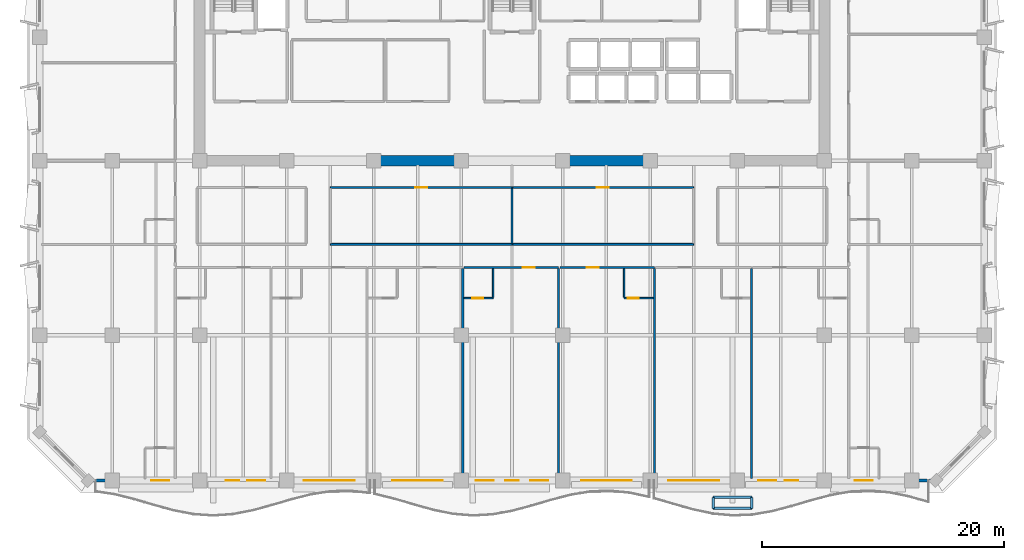
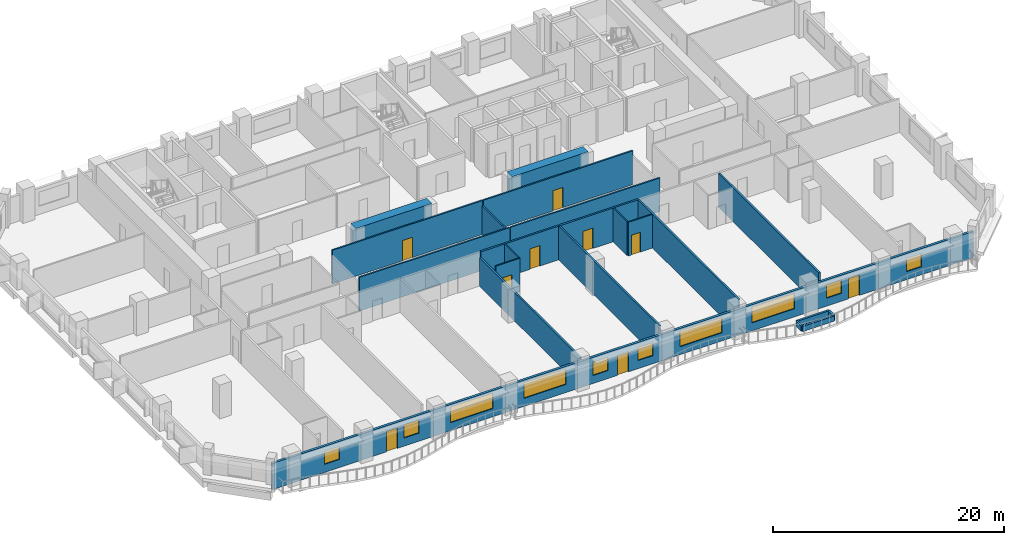
# One storey, part 5 of 15: 22 walls, 10 windows, 9 doors, 19 openings.
"""IFC4 building model written with IfcOpenShell, lengths in metres."""

from ifc_helpers import new_model, si_unit, direction, frame, frame_2d, origin, place, context, subcontext, project, spatial, rectangle, extrude, material, layer, layer_set, type_object, element, fill, save


model = new_model("IFC4")

# Units and contexts
model_context = context("Model", 3, precision=1e-05, world=origin(), true_north=direction((0.0, 1.0)))
body_context = subcontext(model_context, "Body", "Model", "MODEL_VIEW")
ifc_project = project(units=[si_unit("LENGTHUNIT", "METRE"), si_unit("AREAUNIT", "SQUARE_METRE"), si_unit("VOLUMEUNIT", "CUBIC_METRE"), si_unit("PLANEANGLEUNIT", "RADIAN"), si_unit("MASSUNIT", "GRAM", prefix="KILO")], contexts=[model_context])

# Site, building, storey
site_placement = place(None, origin())
site = spatial("IfcSite", under=ifc_project, at=site_placement, CompositionType="ELEMENT")
building_placement = place(site_placement, origin())
building = spatial("IfcBuilding", under=site, at=building_placement, Name="Kaelvorn Grand Hotel", CompositionType="ELEMENT")
storey_placement = place(building_placement, frame((0.0, 0.0, 173.35009765625)))
storey = spatial("IfcBuildingStorey", under=building, at=storey_placement, Name="L42", CompositionType="ELEMENT", Elevation=173.35009765625)

# Walls
ifc_material_1 = material(Name="Concrete C60/75", Category="concrete")
ifc_layer_1 = layer(ifc_material_1, 0.89990234375)
ifc_layer_set_1 = layer_set([ifc_layer_1], Name="Concrete C60/75")
wall_type_1 = type_object("IfcWallType", Name="WL-CORE-900-C60", PredefinedType="SHEAR", material=ifc_layer_set_1)
for number, where, z_axis, x_axis, name in (
    (1, (30.39990234375, 29.39990234375, 0.0), (0.0, 0.0, 1.0), (1.0, 0.0, 0.0), "L42 Rear-Core Coupled Shear Pier S2"),
    (2, (46.0, 29.39990234375, 0.0), (0.0, 0.0, 1.0), (1.0, 0.0, 0.0), "L42 Rear-Core Coupled Shear Pier S3"),
):
    element("IfcWall", number, at=place(storey_placement, frame(where, z_axis=z_axis, x_axis=x_axis)), inside=storey, type_object=wall_type_1, Name=name, PredefinedType="SHEAR", context=body_context, shape_type="SweptSolid", body=[
        extrude(rectangle(XDim=7.60009765625, YDim=0.89990234375, at=frame_2d((3.800048828125, 0.0))), origin(), (0.0, 0.0, 1.0), 3.559814453125),
    ])

# Wall, openings, doors, windows
ifc_material_2 = material(Name="Concrete C40/50", Category="concrete")
ifc_layer_2 = layer(ifc_material_2, 0.239990234375)
ifc_layer_set_2 = layer_set([ifc_layer_2], Name="Concrete C40/50")
wall_type_2 = type_object("IfcWallType", Name="WL-EXT-240-C40", PredefinedType="SOLIDWALL", material=ifc_layer_set_2)
wall_1_placement = place(storey_placement, frame((7.0, 3.0, 0.0), z_axis=(0.0, 0.0, 1.0), x_axis=(1.0, 0.0, 0.0)))
wall_1 = element("IfcWall", 3, at=wall_1_placement, inside=storey, type_object=wall_type_2, Name="L42 Exterior Architectural Concrete Wall 01", PredefinedType="SOLIDWALL", context=body_context, shape_type="SweptSolid", body=[
    extrude(rectangle(XDim=70.0, YDim=0.239990234375, at=frame_2d((35.0, 0.0))), origin(), (0.0, 0.0, 1.0), 2.760009765625),
])
opening_1_placement = place(wall_1_placement, frame((11.38330078125, 0.0, 0.0)))
opening_1 = element("IfcOpeningElement", 4, at=opening_1_placement, cuts=wall_1, Name="Opening DE2", PredefinedType="OPENING", context=body_context, shape_type="SweptSolid", body=[
    extrude(rectangle(XDim=1.10009765625, YDim=2.14990234375, at=frame_2d((0.550048828125, 1.074951171875))), frame((0.0, 0.1298828125, 0.0), z_axis=(0.0, -1.0, 0.0), x_axis=(1.0, 0.0, 0.0)), (0.0, 0.0, 1.0), 0.260009765625),
])
opening_2_placement = place(wall_1_placement, frame((34.449951171875, 0.0, 0.0)))
opening_2 = element("IfcOpeningElement", 5, at=opening_2_placement, cuts=wall_1, Name="Opening DE2", PredefinedType="OPENING", context=body_context, shape_type="SweptSolid", body=[
    extrude(rectangle(XDim=1.10009765625, YDim=2.14990234375, at=frame_2d((0.550048828125, 1.074951171875))), frame((0.0, 0.1298828125, 0.0), z_axis=(0.0, -1.0, 0.0), x_axis=(1.0, 0.0, 0.0)), (0.0, 0.0, 1.0), 0.260009765625),
])
opening_3_placement = place(wall_1_placement, frame((57.5166015625, 0.0, 0.0)))
opening_3 = element("IfcOpeningElement", 6, at=opening_3_placement, cuts=wall_1, Name="Opening DE2", PredefinedType="OPENING", context=body_context, shape_type="SweptSolid", body=[
    extrude(rectangle(XDim=1.10009765625, YDim=2.14990234375, at=frame_2d((0.550048828125, 1.074951171875))), frame((0.0, 0.1298828125, 0.0), z_axis=(0.0, -1.0, 0.0), x_axis=(1.0, 0.0, 0.0)), (0.0, 0.0, 1.0), 0.260009765625),
])
opening_4_placement = place(wall_1_placement, frame((5.199951171875, 0.0, 0.85009765625)))
opening_4 = element("IfcOpeningElement", 7, at=opening_4_placement, cuts=wall_1, Name="Opening W10", PredefinedType="OPENING", context=body_context, shape_type="SweptSolid", body=[
    extrude(rectangle(XDim=1.5, YDim=1.39990234375, at=frame_2d((0.75, 0.699951171875))), frame((0.0, 0.1298828125, 0.0), z_axis=(0.0, -1.0, 0.0), x_axis=(1.0, 0.0, 0.0)), (0.0, 0.0, 1.0), 0.260009765625),
])
opening_5_placement = place(wall_1_placement, frame((13.132568359375, 0.0, 0.85009765625)))
opening_5 = element("IfcOpeningElement", 8, at=opening_5_placement, cuts=wall_1, Name="Opening W10", PredefinedType="OPENING", context=body_context, shape_type="SweptSolid", body=[
    extrude(rectangle(XDim=1.5, YDim=1.39990234375, at=frame_2d((0.75, 0.699951171875))), frame((0.0, 0.1298828125, 0.0), z_axis=(0.0, -1.0, 0.0), x_axis=(1.0, 0.0, 0.0)), (0.0, 0.0, 1.0), 0.260009765625),
])
opening_6_placement = place(wall_1_placement, frame((17.8125, 0.0, 0.85009765625)))
opening_6 = element("IfcOpeningElement", 9, at=opening_6_placement, cuts=wall_1, Name="Opening W2", PredefinedType="OPENING", context=body_context, shape_type="SweptSolid", body=[
    extrude(rectangle(XDim=4.199951171875, YDim=1.64990234375, at=frame_2d((2.10009765625, 0.824951171875))), frame((0.0, 0.1298828125, 0.0), z_axis=(0.0, -1.0, 0.0), x_axis=(1.0, 0.0, 0.0)), (0.0, 0.0, 1.0), 0.260009765625),
])
opening_7_placement = place(wall_1_placement, frame((25.10009765625, 0.0, 0.85009765625)))
opening_7 = element("IfcOpeningElement", 10, at=opening_7_placement, cuts=wall_1, Name="Opening W2", PredefinedType="OPENING", context=body_context, shape_type="SweptSolid", body=[
    extrude(rectangle(XDim=4.199951171875, YDim=1.64990234375, at=frame_2d((2.10009765625, 0.824951171875))), frame((0.0, 0.1298828125, 0.0), z_axis=(0.0, -1.0, 0.0), x_axis=(1.0, 0.0, 0.0)), (0.0, 0.0, 1.0), 0.260009765625),
])
opening_8_placement = place(wall_1_placement, frame((31.989990234375, 0.0, 0.85009765625)))
opening_8 = element("IfcOpeningElement", 11, at=opening_8_placement, cuts=wall_1, Name="Opening W10", PredefinedType="OPENING", context=body_context, shape_type="SweptSolid", body=[
    extrude(rectangle(XDim=1.5, YDim=1.39990234375, at=frame_2d((0.75, 0.699951171875))), frame((0.0, 0.1298828125, 0.0), z_axis=(0.0, -1.0, 0.0), x_axis=(1.0, 0.0, 0.0)), (0.0, 0.0, 1.0), 0.260009765625),
])
opening_9_placement = place(wall_1_placement, frame((36.510009765625, 0.0, 0.85009765625)))
opening_9 = element("IfcOpeningElement", 12, at=opening_9_placement, cuts=wall_1, Name="Opening W10", PredefinedType="OPENING", context=body_context, shape_type="SweptSolid", body=[
    extrude(rectangle(XDim=1.5, YDim=1.39990234375, at=frame_2d((0.75, 0.699951171875))), frame((0.0, 0.1298828125, 0.0), z_axis=(0.0, -1.0, 0.0), x_axis=(1.0, 0.0, 0.0)), (0.0, 0.0, 1.0), 0.260009765625),
])
opening_10_placement = place(wall_1_placement, frame((40.699951171875, 0.0, 0.85009765625)))
opening_10 = element("IfcOpeningElement", 13, at=opening_10_placement, cuts=wall_1, Name="Opening W2", PredefinedType="OPENING", context=body_context, shape_type="SweptSolid", body=[
    extrude(rectangle(XDim=4.199951171875, YDim=1.64990234375, at=frame_2d((2.10009765625, 0.824951171875))), frame((0.0, 0.1298828125, 0.0), z_axis=(0.0, -1.0, 0.0), x_axis=(1.0, 0.0, 0.0)), (0.0, 0.0, 1.0), 0.260009765625),
])
opening_11_placement = place(wall_1_placement, frame((47.89990234375, 0.0, 0.85009765625)))
opening_11 = element("IfcOpeningElement", 14, at=opening_11_placement, cuts=wall_1, Name="Opening W2", PredefinedType="OPENING", context=body_context, shape_type="SweptSolid", body=[
    extrude(rectangle(XDim=4.199951171875, YDim=1.64990234375, at=frame_2d((2.10009765625, 0.824951171875))), frame((0.0, 0.1298828125, 0.0), z_axis=(0.0, -1.0, 0.0), x_axis=(1.0, 0.0, 0.0)), (0.0, 0.0, 1.0), 0.260009765625),
])
opening_12_placement = place(wall_1_placement, frame((55.31396484375, 0.0, 0.85009765625)))
opening_12 = element("IfcOpeningElement", 15, at=opening_12_placement, cuts=wall_1, Name="Opening W10", PredefinedType="OPENING", context=body_context, shape_type="SweptSolid", body=[
    extrude(rectangle(XDim=1.5, YDim=1.39990234375, at=frame_2d((0.75, 0.699951171875))), frame((0.0, 0.1298828125, 0.0), z_axis=(0.0, -1.0, 0.0), x_axis=(1.0, 0.0, 0.0)), (0.0, 0.0, 1.0), 0.260009765625),
])
opening_13_placement = place(wall_1_placement, frame((63.300048828125, 0.0, 0.85009765625)))
opening_13 = element("IfcOpeningElement", 16, at=opening_13_placement, cuts=wall_1, Name="Opening W10", PredefinedType="OPENING", context=body_context, shape_type="SweptSolid", body=[
    extrude(rectangle(XDim=1.5, YDim=1.39990234375, at=frame_2d((0.75, 0.699951171875))), frame((0.0, 0.1298828125, 0.0), z_axis=(0.0, -1.0, 0.0), x_axis=(1.0, 0.0, 0.0)), (0.0, 0.0, 1.0), 0.260009765625),
])
ifc_material_3 = material(Name="Anodised Aluminium", Category="aluminium")
door_type_1 = type_object("IfcDoorType", Name="DR-EXT-BALC-1100x2150", OperationType="NOTDEFINED", PredefinedType="DOOR", material=ifc_material_3)
door_1_placement = place(opening_1_placement, origin())
door_1 = element("IfcDoor", 17, at=door_1_placement, inside=storey, type_object=door_type_1, Name="L42 Scalloped Balcony Glazed Door DE2-1", OperationType="SINGLE_SWING_RIGHT", OverallHeight=2.14990234375, OverallWidth=1.10009765625, PredefinedType="DOOR", context=body_context, shape_type="SweptSolid", body=[
    extrude(rectangle(XDim=1.10009765625, YDim=2.14990234375, at=frame_2d((0.550048828125, 1.074951171875))), frame((0.0, 0.02490234375, 0.0), z_axis=(0.0, -1.0, 0.0), x_axis=(1.0, 0.0, 0.0)), (0.0, 0.0, 1.0), 0.050048828125),
])
fill(opening_1, door_1)
door_2_placement = place(opening_2_placement, origin())
door_2 = element("IfcDoor", 18, at=door_2_placement, inside=storey, type_object=door_type_1, Name="L42 Scalloped Balcony Glazed Door DE2-2", OperationType="SINGLE_SWING_LEFT", OverallHeight=2.14990234375, OverallWidth=1.10009765625, PredefinedType="DOOR", context=body_context, shape_type="SweptSolid", body=[
    extrude(rectangle(XDim=1.10009765625, YDim=2.14990234375, at=frame_2d((0.550048828125, 1.074951171875))), frame((0.0, 0.02490234375, 0.0), z_axis=(0.0, -1.0, 0.0), x_axis=(1.0, 0.0, 0.0)), (0.0, 0.0, 1.0), 0.050048828125),
])
fill(opening_2, door_2)
door_3_placement = place(opening_3_placement, origin())
door_3 = element("IfcDoor", 19, at=door_3_placement, inside=storey, type_object=door_type_1, Name="L42 Scalloped Balcony Glazed Door DE2-3", OperationType="SINGLE_SWING_RIGHT", OverallHeight=2.14990234375, OverallWidth=1.10009765625, PredefinedType="DOOR", context=body_context, shape_type="SweptSolid", body=[
    extrude(rectangle(XDim=1.10009765625, YDim=2.14990234375, at=frame_2d((0.550048828125, 1.074951171875))), frame((0.0, 0.02490234375, 0.0), z_axis=(0.0, -1.0, 0.0), x_axis=(1.0, 0.0, 0.0)), (0.0, 0.0, 1.0), 0.050048828125),
])
fill(opening_3, door_3)
ifc_material_4 = material(Name="Laminated Low-E Glass", Category="glass")
window_type_1 = type_object("IfcWindowType", Name="WIN-COR-1500x1400", PartitioningType="SINGLE_PANEL", PredefinedType="WINDOW", material=ifc_material_4)
window_1_placement = place(opening_4_placement, origin())
window_1 = element("IfcWindow", 20, at=window_1_placement, inside=storey, type_object=window_type_1, Name="L42 South Guestroom Ribbon Window SR01", OverallHeight=1.39990234375, OverallWidth=1.5, PartitioningType="SINGLE_PANEL", PredefinedType="WINDOW", context=body_context, shape_type="SweptSolid", body=[
    extrude(rectangle(XDim=1.5, YDim=1.39990234375, at=frame_2d((0.75, 0.699951171875))), frame((0.0, 0.030029296875, 0.0), z_axis=(0.0, -1.0, 0.0), x_axis=(1.0, 0.0, 0.0)), (0.0, 0.0, 1.0), 0.06005859375),
])
fill(opening_4, window_1)
window_2_placement = place(opening_5_placement, origin())
window_2 = element("IfcWindow", 21, at=window_2_placement, inside=storey, type_object=window_type_1, Name="L42 South Guestroom Ribbon Window SR02", OverallHeight=1.39990234375, OverallWidth=1.5, PartitioningType="SINGLE_PANEL", PredefinedType="WINDOW", context=body_context, shape_type="SweptSolid", body=[
    extrude(rectangle(XDim=1.5, YDim=1.39990234375, at=frame_2d((0.75, 0.699951171875))), frame((0.0, 0.030029296875, 0.0), z_axis=(0.0, -1.0, 0.0), x_axis=(1.0, 0.0, 0.0)), (0.0, 0.0, 1.0), 0.06005859375),
])
fill(opening_5, window_2)
window_3_placement = place(opening_8_placement, origin())
window_3 = element("IfcWindow", 22, at=window_3_placement, inside=storey, type_object=window_type_1, Name="L42 South Guestroom Ribbon Window SR05", OverallHeight=1.39990234375, OverallWidth=1.5, PartitioningType="SINGLE_PANEL", PredefinedType="WINDOW", context=body_context, shape_type="SweptSolid", body=[
    extrude(rectangle(XDim=1.5, YDim=1.39990234375, at=frame_2d((0.75, 0.699951171875))), frame((0.0, 0.030029296875, 0.0), z_axis=(0.0, -1.0, 0.0), x_axis=(1.0, 0.0, 0.0)), (0.0, 0.0, 1.0), 0.06005859375),
])
fill(opening_8, window_3)
window_4_placement = place(opening_9_placement, origin())
window_4 = element("IfcWindow", 23, at=window_4_placement, inside=storey, type_object=window_type_1, Name="L42 South Guestroom Ribbon Window SR06", OverallHeight=1.39990234375, OverallWidth=1.5, PartitioningType="SINGLE_PANEL", PredefinedType="WINDOW", context=body_context, shape_type="SweptSolid", body=[
    extrude(rectangle(XDim=1.5, YDim=1.39990234375, at=frame_2d((0.75, 0.699951171875))), frame((0.0, 0.030029296875, 0.0), z_axis=(0.0, -1.0, 0.0), x_axis=(1.0, 0.0, 0.0)), (0.0, 0.0, 1.0), 0.06005859375),
])
fill(opening_9, window_4)
window_5_placement = place(opening_12_placement, origin())
window_5 = element("IfcWindow", 24, at=window_5_placement, inside=storey, type_object=window_type_1, Name="L42 South Guestroom Ribbon Window SR09", OverallHeight=1.39990234375, OverallWidth=1.5, PartitioningType="SINGLE_PANEL", PredefinedType="WINDOW", context=body_context, shape_type="SweptSolid", body=[
    extrude(rectangle(XDim=1.5, YDim=1.39990234375, at=frame_2d((0.75, 0.699951171875))), frame((0.0, 0.030029296875, 0.0), z_axis=(0.0, -1.0, 0.0), x_axis=(1.0, 0.0, 0.0)), (0.0, 0.0, 1.0), 0.06005859375),
])
fill(opening_12, window_5)
window_6_placement = place(opening_13_placement, origin())
window_6 = element("IfcWindow", 25, at=window_6_placement, inside=storey, type_object=window_type_1, Name="L42 South Guestroom Ribbon Window SR10", OverallHeight=1.39990234375, OverallWidth=1.5, PartitioningType="SINGLE_PANEL", PredefinedType="WINDOW", context=body_context, shape_type="SweptSolid", body=[
    extrude(rectangle(XDim=1.5, YDim=1.39990234375, at=frame_2d((0.75, 0.699951171875))), frame((0.0, 0.030029296875, 0.0), z_axis=(0.0, -1.0, 0.0), x_axis=(1.0, 0.0, 0.0)), (0.0, 0.0, 1.0), 0.06005859375),
])
fill(opening_13, window_6)
window_type_2 = type_object("IfcWindowType", Name="WIN-RIB-4200x1650", PartitioningType="SINGLE_PANEL", PredefinedType="WINDOW", material=ifc_material_4)
window_7_placement = place(opening_6_placement, origin())
window_7 = element("IfcWindow", 26, at=window_7_placement, inside=storey, type_object=window_type_2, Name="L42 South Guestroom Ribbon Window SR03", OverallHeight=1.64990234375, OverallWidth=4.199951171875, PartitioningType="SINGLE_PANEL", PredefinedType="WINDOW", context=body_context, shape_type="SweptSolid", body=[
    extrude(rectangle(XDim=4.199951171875, YDim=1.64990234375, at=frame_2d((2.10009765625, 0.824951171875))), frame((0.0, 0.030029296875, 0.0), z_axis=(0.0, -1.0, 0.0), x_axis=(1.0, 0.0, 0.0)), (0.0, 0.0, 1.0), 0.06005859375),
])
fill(opening_6, window_7)
window_8_placement = place(opening_7_placement, origin())
window_8 = element("IfcWindow", 27, at=window_8_placement, inside=storey, type_object=window_type_2, Name="L42 South Guestroom Ribbon Window SR04", OverallHeight=1.64990234375, OverallWidth=4.199951171875, PartitioningType="SINGLE_PANEL", PredefinedType="WINDOW", context=body_context, shape_type="SweptSolid", body=[
    extrude(rectangle(XDim=4.199951171875, YDim=1.64990234375, at=frame_2d((2.10009765625, 0.824951171875))), frame((0.0, 0.030029296875, 0.0), z_axis=(0.0, -1.0, 0.0), x_axis=(1.0, 0.0, 0.0)), (0.0, 0.0, 1.0), 0.06005859375),
])
fill(opening_7, window_8)
window_9_placement = place(opening_10_placement, origin())
window_9 = element("IfcWindow", 28, at=window_9_placement, inside=storey, type_object=window_type_2, Name="L42 South Guestroom Ribbon Window SR07", OverallHeight=1.64990234375, OverallWidth=4.199951171875, PartitioningType="SINGLE_PANEL", PredefinedType="WINDOW", context=body_context, shape_type="SweptSolid", body=[
    extrude(rectangle(XDim=4.199951171875, YDim=1.64990234375, at=frame_2d((2.10009765625, 0.824951171875))), frame((0.0, 0.030029296875, 0.0), z_axis=(0.0, -1.0, 0.0), x_axis=(1.0, 0.0, 0.0)), (0.0, 0.0, 1.0), 0.06005859375),
])
fill(opening_10, window_9)
window_10_placement = place(opening_11_placement, origin())
window_10 = element("IfcWindow", 29, at=window_10_placement, inside=storey, type_object=window_type_2, Name="L42 South Guestroom Ribbon Window SR08", OverallHeight=1.64990234375, OverallWidth=4.199951171875, PartitioningType="SINGLE_PANEL", PredefinedType="WINDOW", context=body_context, shape_type="SweptSolid", body=[
    extrude(rectangle(XDim=4.199951171875, YDim=1.64990234375, at=frame_2d((2.10009765625, 0.824951171875))), frame((0.0, 0.030029296875, 0.0), z_axis=(0.0, -1.0, 0.0), x_axis=(1.0, 0.0, 0.0)), (0.0, 0.0, 1.0), 0.06005859375),
])
fill(opening_11, window_10)

# Wall, opening, door
ifc_material_5 = material(Name="Moisture-Resistant Tile & Stud Board")
ifc_layer_3 = layer(ifc_material_5, 0.125)
ifc_layer_set_3 = layer_set([ifc_layer_3], Name="Moisture-Resistant Tile & Stud Board")
wall_type_3 = type_object("IfcWallType", Name="WL-PART-125-WET", PredefinedType="PARTITIONING", material=ifc_layer_set_3)
wall_2_placement = place(storey_placement, frame((38.031982421875, 18.050048828125, 0.0), z_axis=(0.0, 0.0, 1.0), x_axis=(1.0, 0.0, 0.0)))
wall_2 = element("IfcWall", 30, at=wall_2_placement, inside=storey, type_object=wall_type_3, Name="L42 En-suite Bathroom L42-04 S Partition", PredefinedType="PARTITIONING", context=body_context, shape_type="SweptSolid", body=[
    extrude(rectangle(XDim=2.405029296875, YDim=0.125, at=frame_2d((1.20263671875, 0.0))), origin(), (0.0, 0.0, 1.0), 3.559814453125),
])
opening_14_placement = place(wall_2_placement, frame((0.705078125, 0.0, 0.0)))
opening_14 = element("IfcOpeningElement", 31, at=opening_14_placement, cuts=wall_2, Name="Opening DI4", PredefinedType="OPENING", context=body_context, shape_type="SweptSolid", body=[
    extrude(rectangle(XDim=0.89990234375, YDim=2.10009765625, at=frame_2d((0.449951171875, 1.050048828125))), frame((0.0, 0.072509765625, 0.0), z_axis=(0.0, -1.0, 0.0), x_axis=(1.0, 0.0, 0.0)), (0.0, 0.0, 1.0), 0.14501953125),
])
ifc_material_6 = material(Name="Timber Veneer Leaf", Category="wood")
door_type_2 = type_object("IfcDoorType", Name="DR-INT-BATH-900x2100", OperationType="NOTDEFINED", PredefinedType="DOOR", material=ifc_material_6)
door_4_placement = place(opening_14_placement, origin())
door_4 = element("IfcDoor", 32, at=door_4_placement, inside=storey, type_object=door_type_2, Name="L42 En-suite Bathroom L42-04 Door", OperationType="SINGLE_SWING_RIGHT", OverallHeight=2.10009765625, OverallWidth=0.89990234375, PredefinedType="DOOR", context=body_context, shape_type="SweptSolid", body=[
    extrude(rectangle(XDim=0.89990234375, YDim=2.10009765625, at=frame_2d((0.449951171875, 1.050048828125))), frame((0.0, 0.02490234375, 0.0), z_axis=(0.0, -1.0, 0.0), x_axis=(1.0, 0.0, 0.0)), (0.0, 0.0, 1.0), 0.050048828125),
])
fill(opening_14, door_4)

# Wall
wall_3_placement = place(storey_placement, frame((40.43701171875, 18.117431640625, 0.0), z_axis=(0.0, 0.0, 1.0), x_axis=(0.0, 1.0, 0.0)))
element("IfcWall", 33, at=wall_3_placement, inside=storey, type_object=wall_type_3, Name="L42 En-suite Bathroom L42-04 E Partition", PredefinedType="PARTITIONING", context=body_context, shape_type="SweptSolid", body=[
    extrude(rectangle(XDim=2.387451171875, YDim=0.125, at=frame_2d((1.19384765625, 0.0))), origin(), (0.0, 0.0, 1.0), 3.559814453125),
])

# Wall, opening, door
wall_4_placement = place(storey_placement, frame((51.261474609375, 18.050048828125, 0.0), z_axis=(0.0, 0.0, 1.0), x_axis=(1.0, 0.0, 0.0)))
wall_4 = element("IfcWall", 34, at=wall_4_placement, inside=storey, type_object=wall_type_3, Name="L42 En-suite Bathroom L42-05 S Partition", PredefinedType="PARTITIONING", context=body_context, shape_type="SweptSolid", body=[
    extrude(rectangle(XDim=2.405029296875, YDim=0.125, at=frame_2d((1.20263671875, 0.0))), origin(), (0.0, 0.0, 1.0), 3.559814453125),
])
opening_15_placement = place(wall_4_placement, frame((0.300048828125, 0.0, 0.0)))
opening_15 = element("IfcOpeningElement", 35, at=opening_15_placement, cuts=wall_4, Name="Opening DI4", PredefinedType="OPENING", context=body_context, shape_type="SweptSolid", body=[
    extrude(rectangle(XDim=0.89990234375, YDim=2.10009765625, at=frame_2d((0.449951171875, 1.050048828125))), frame((0.0, 0.072509765625, 0.0), z_axis=(0.0, -1.0, 0.0), x_axis=(1.0, 0.0, 0.0)), (0.0, 0.0, 1.0), 0.14501953125),
])
door_5_placement = place(opening_15_placement, origin())
door_5 = element("IfcDoor", 36, at=door_5_placement, inside=storey, type_object=door_type_2, Name="L42 En-suite Bathroom L42-05 Door", OperationType="SINGLE_SWING_RIGHT", OverallHeight=2.10009765625, OverallWidth=0.89990234375, PredefinedType="DOOR", context=body_context, shape_type="SweptSolid", body=[
    extrude(rectangle(XDim=0.89990234375, YDim=2.10009765625, at=frame_2d((0.449951171875, 1.050048828125))), frame((0.0, 0.02490234375, 0.0), z_axis=(0.0, -1.0, 0.0), x_axis=(1.0, 0.0, 0.0)), (0.0, 0.0, 1.0), 0.050048828125),
])
fill(opening_15, door_5)

# Walls
wall_5_placement = place(storey_placement, frame((51.261474609375, 18.117431640625, 0.0), z_axis=(0.0, 0.0, 1.0), x_axis=(0.0, 1.0, 0.0)))
element("IfcWall", 37, at=wall_5_placement, inside=storey, type_object=wall_type_3, Name="L42 En-suite Bathroom L42-05 W Partition", PredefinedType="PARTITIONING", context=body_context, shape_type="SweptSolid", body=[
    extrude(rectangle(XDim=2.387451171875, YDim=0.125, at=frame_2d((1.19384765625, 0.0))), origin(), (0.0, 0.0, 1.0), 3.559814453125),
])
ifc_material_7 = material(Name="Acoustic Gypsum & Stud Partition")
ifc_layer_4 = layer(ifc_material_7, 0.14990234375)
ifc_layer_set_4 = layer_set([ifc_layer_4], Name="Acoustic Gypsum & Stud Partition")
wall_type_4 = type_object("IfcWallType", Name="WL-PART-150-EI60", PredefinedType="PARTITIONING", material=ifc_layer_set_4)
wall_6_placement = place(storey_placement, frame((27.0, 22.5, 0.0), z_axis=(0.0, 0.0, 1.0), x_axis=(1.0, 0.0, 0.0)))
element("IfcWall", 38, at=wall_6_placement, inside=storey, type_object=wall_type_4, Name="L42 Sommelier Wine Bar S Partition", PredefinedType="PARTITIONING", context=body_context, shape_type="SweptSolid", body=[
    extrude(rectangle(XDim=15.0, YDim=0.14990234375, at=frame_2d((7.5, 0.0))), origin(), (0.0, 0.0, 1.0), 3.559814453125),
])

# Wall, opening, door
wall_7_placement = place(storey_placement, frame((27.0, 27.199951171875, 0.0), z_axis=(0.0, 0.0, 1.0), x_axis=(1.0, 0.0, 0.0)))
wall_7 = element("IfcWall", 39, at=wall_7_placement, inside=storey, type_object=wall_type_4, Name="L42 Sommelier Wine Bar N Partition", PredefinedType="PARTITIONING", context=body_context, shape_type="SweptSolid", body=[
    extrude(rectangle(XDim=15.0, YDim=0.14990234375, at=frame_2d((7.5, 0.0))), origin(), (0.0, 0.0, 1.0), 3.559814453125),
])
opening_16_placement = place(wall_7_placement, frame((7.0, 0.0, 0.0)))
opening_16 = element("IfcOpeningElement", 40, at=opening_16_placement, cuts=wall_7, Name="Opening DI3", PredefinedType="OPENING", context=body_context, shape_type="SweptSolid", body=[
    extrude(rectangle(XDim=1.0, YDim=2.14990234375, at=frame_2d((0.5, 1.074951171875))), frame((0.0, 0.0849609375, 0.0), z_axis=(0.0, -1.0, 0.0), x_axis=(1.0, 0.0, 0.0)), (0.0, 0.0, 1.0), 0.169921875),
])
ifc_material_8 = material(Name="Timber Veneer Fire Leaf", Category="wood")
door_type_3 = type_object("IfcDoorType", Name="DR-INT-GUEST-1000x2150", OperationType="NOTDEFINED", PredefinedType="DOOR", material=ifc_material_8)
door_6_placement = place(opening_16_placement, origin())
door_6 = element("IfcDoor", 41, at=door_6_placement, inside=storey, type_object=door_type_3, Name="L42 Sommelier Wine Bar Door", OperationType="SINGLE_SWING_RIGHT", OverallHeight=2.14990234375, OverallWidth=1.0, PredefinedType="DOOR", context=body_context, shape_type="SweptSolid", body=[
    extrude(rectangle(XDim=1.0, YDim=2.14990234375, at=frame_2d((0.5, 1.074951171875))), frame((0.0, 0.02490234375, 0.0), z_axis=(0.0, -1.0, 0.0), x_axis=(1.0, 0.0, 0.0)), (0.0, 0.0, 1.0), 0.050048828125),
])
fill(opening_16, door_6)

# Walls
wall_8_placement = place(storey_placement, frame((42.0, 22.580078125, 0.0), z_axis=(0.0, 0.0, 1.0), x_axis=(0.0, 1.0, 0.0)))
element("IfcWall", 42, at=wall_8_placement, inside=storey, type_object=wall_type_4, Name="L42 Sommelier Wine Bar E Partition", PredefinedType="PARTITIONING", context=body_context, shape_type="SweptSolid", body=[
    extrude(rectangle(XDim=4.5400390625, YDim=0.14990234375, at=frame_2d((2.27001953125, 0.0))), origin(), (0.0, 0.0, 1.0), 3.059814453125),
])
wall_9_placement = place(storey_placement, frame((42.080078125, 22.5, 0.0), z_axis=(0.0, 0.0, 1.0), x_axis=(1.0, 0.0, 0.0)))
element("IfcWall", 43, at=wall_9_placement, inside=storey, type_object=wall_type_4, Name="L42 Business Meeting Room S Partition", PredefinedType="PARTITIONING", context=body_context, shape_type="SweptSolid", body=[
    extrude(rectangle(XDim=14.919921875, YDim=0.14990234375, at=frame_2d((7.4599609375, 0.0))), origin(), (0.0, 0.0, 1.0), 3.559814453125),
])

# Wall, opening, door
wall_10_placement = place(storey_placement, frame((42.080078125, 27.199951171875, 0.0), z_axis=(0.0, 0.0, 1.0), x_axis=(1.0, 0.0, 0.0)))
wall_10 = element("IfcWall", 44, at=wall_10_placement, inside=storey, type_object=wall_type_4, Name="L42 Business Meeting Room N Partition", PredefinedType="PARTITIONING", context=body_context, shape_type="SweptSolid", body=[
    extrude(rectangle(XDim=14.919921875, YDim=0.14990234375, at=frame_2d((7.4599609375, 0.0))), origin(), (0.0, 0.0, 1.0), 3.559814453125),
])
opening_17_placement = place(wall_10_placement, frame((6.919921875, 0.0, 0.0)))
opening_17 = element("IfcOpeningElement", 45, at=opening_17_placement, cuts=wall_10, Name="Opening DI3", PredefinedType="OPENING", context=body_context, shape_type="SweptSolid", body=[
    extrude(rectangle(XDim=1.0, YDim=2.14990234375, at=frame_2d((0.5, 1.074951171875))), frame((0.0, 0.0849609375, 0.0), z_axis=(0.0, -1.0, 0.0), x_axis=(1.0, 0.0, 0.0)), (0.0, 0.0, 1.0), 0.169921875),
])
door_7_placement = place(opening_17_placement, origin())
door_7 = element("IfcDoor", 46, at=door_7_placement, inside=storey, type_object=door_type_3, Name="L42 Business Meeting Room Door", OperationType="SINGLE_SWING_LEFT", OverallHeight=2.14990234375, OverallWidth=1.0, PredefinedType="DOOR", context=body_context, shape_type="SweptSolid", body=[
    extrude(rectangle(XDim=1.0, YDim=2.14990234375, at=frame_2d((0.5, 1.074951171875))), frame((0.0, 0.02490234375, 0.0), z_axis=(0.0, -1.0, 0.0), x_axis=(1.0, 0.0, 0.0)), (0.0, 0.0, 1.0), 0.050048828125),
])
fill(opening_17, door_7)

# Wall
ifc_layer_5 = layer(ifc_material_7, 0.179931640625)
ifc_layer_set_5 = layer_set([ifc_layer_5], Name="Acoustic Gypsum & Stud Partition")
wall_type_5 = type_object("IfcWallType", Name="WL-PART-180-EI60", PredefinedType="PARTITIONING", material=ifc_layer_set_5)
wall_11_placement = place(storey_placement, frame((37.93701171875, 3.14990234375, 0.0), z_axis=(0.0, 0.0, 1.0), x_axis=(0.0, 1.0, 0.0)))
element("IfcWall", 47, at=wall_11_placement, inside=storey, type_object=wall_type_5, Name="L42 Mid-Rise Signature Suite L42-03 E Partition", PredefinedType="PARTITIONING", context=body_context, shape_type="SweptSolid", body=[
    extrude(rectangle(XDim=17.35498046875, YDim=0.179931640625, at=frame_2d((8.677490234375, 0.0))), origin(), (0.0, 0.0, 1.0), 3.010009765625),
])

# Wall, opening, door
wall_12_placement = place(storey_placement, frame((38.031982421875, 20.60009765625, 0.0), z_axis=(0.0, 0.0, 1.0), x_axis=(1.0, 0.0, 0.0)))
wall_12 = element("IfcWall", 48, at=wall_12_placement, inside=storey, type_object=wall_type_5, Name="L42 Mid-Rise Signature Suite L42-04 N Partition", PredefinedType="PARTITIONING", context=body_context, shape_type="SweptSolid", body=[
    extrude(rectangle(XDim=7.817138671875, YDim=0.179931640625, at=frame_2d((3.90869140625, 0.0))), origin(), (0.0, 0.0, 1.0), 3.559814453125),
])
opening_18_placement = place(wall_12_placement, frame((4.8466796875, 0.0, 0.0)))
opening_18 = element("IfcOpeningElement", 49, at=opening_18_placement, cuts=wall_12, Name="Opening DI3", PredefinedType="OPENING", context=body_context, shape_type="SweptSolid", body=[
    extrude(rectangle(XDim=1.0, YDim=2.14990234375, at=frame_2d((0.5, 1.074951171875))), frame((0.0, 0.10009765625, 0.0), z_axis=(0.0, -1.0, 0.0), x_axis=(1.0, 0.0, 0.0)), (0.0, 0.0, 1.0), 0.199951171875),
])
door_8_placement = place(opening_18_placement, origin())
door_8 = element("IfcDoor", 50, at=door_8_placement, inside=storey, type_object=door_type_3, Name="L42 Mid-Rise Signature Suite L42-04 Door", OperationType="SINGLE_SWING_LEFT", OverallHeight=2.14990234375, OverallWidth=1.0, PredefinedType="DOOR", context=body_context, shape_type="SweptSolid", body=[
    extrude(rectangle(XDim=1.0, YDim=2.14990234375, at=frame_2d((0.5, 1.074951171875))), frame((0.0, 0.02490234375, 0.0), z_axis=(0.0, -1.0, 0.0), x_axis=(1.0, 0.0, 0.0)), (0.0, 0.0, 1.0), 0.050048828125),
])
fill(opening_18, door_8)

# Wall
wall_13_placement = place(storey_placement, frame((45.84912109375, 3.14990234375, 0.0), z_axis=(0.0, 0.0, 1.0), x_axis=(0.0, 1.0, 0.0)))
element("IfcWall", 51, at=wall_13_placement, inside=storey, type_object=wall_type_5, Name="L42 Mid-Rise Signature Suite L42-04 E Partition", PredefinedType="PARTITIONING", context=body_context, shape_type="SweptSolid", body=[
    extrude(rectangle(XDim=17.35498046875, YDim=0.179931640625, at=frame_2d((8.677490234375, 0.0))), origin(), (0.0, 0.0, 1.0), 3.559814453125),
])

# Wall, opening, door
wall_14_placement = place(storey_placement, frame((45.944091796875, 20.60009765625, 0.0), z_axis=(0.0, 0.0, 1.0), x_axis=(1.0, 0.0, 0.0)))
wall_14 = element("IfcWall", 52, at=wall_14_placement, inside=storey, type_object=wall_type_5, Name="L42 Mid-Rise Signature Suite L42-05 N Partition", PredefinedType="PARTITIONING", context=body_context, shape_type="SweptSolid", body=[
    extrude(rectangle(XDim=7.8173828125, YDim=0.179931640625, at=frame_2d((3.90869140625, 0.0))), origin(), (0.0, 0.0, 1.0), 3.559814453125),
])
opening_19_placement = place(wall_14_placement, frame((2.2265625, 0.0, 0.0)))
opening_19 = element("IfcOpeningElement", 53, at=opening_19_placement, cuts=wall_14, Name="Opening DI3", PredefinedType="OPENING", context=body_context, shape_type="SweptSolid", body=[
    extrude(rectangle(XDim=1.0, YDim=2.14990234375, at=frame_2d((0.5, 1.074951171875))), frame((0.0, 0.10009765625, 0.0), z_axis=(0.0, -1.0, 0.0), x_axis=(1.0, 0.0, 0.0)), (0.0, 0.0, 1.0), 0.199951171875),
])
door_9_placement = place(opening_19_placement, origin())
door_9 = element("IfcDoor", 54, at=door_9_placement, inside=storey, type_object=door_type_3, Name="L42 Mid-Rise Signature Suite L42-05 Door", OperationType="SINGLE_SWING_LEFT", OverallHeight=2.14990234375, OverallWidth=1.0, PredefinedType="DOOR", context=body_context, shape_type="SweptSolid", body=[
    extrude(rectangle(XDim=1.0, YDim=2.14990234375, at=frame_2d((0.5, 1.074951171875))), frame((0.0, 0.02490234375, 0.0), z_axis=(0.0, -1.0, 0.0), x_axis=(1.0, 0.0, 0.0)), (0.0, 0.0, 1.0), 0.050048828125),
])
fill(opening_19, door_9)

# Walls
for number, where, z_axis, x_axis, name in (
    (55, (53.761474609375, 3.14990234375, 0.0), (0.0, 0.0, 1.0), (0.0, 1.0, 0.0), "L42 Mid-Rise Signature Suite L42-05 E Partition"),
    (56, (61.78076171875, 3.14990234375, 0.0), (0.0, 0.0, 1.0), (0.0, 1.0, 0.0), "L42 Mid-Rise Signature Suite L42-06 E Partition"),
):
    element("IfcWall", number, at=place(storey_placement, frame(where, z_axis=z_axis, x_axis=x_axis)), inside=storey, type_object=wall_type_5, Name=name, PredefinedType="PARTITIONING", context=body_context, shape_type="SweptSolid", body=[
        extrude(rectangle(XDim=17.35498046875, YDim=0.179931640625, at=frame_2d((8.677490234375, 0.0))), origin(), (0.0, 0.0, 1.0), 3.559814453125),
    ])
ifc_layer_6 = layer(ifc_material_2, 0.199951171875)
ifc_layer_set_6 = layer_set([ifc_layer_6], Name="Concrete C40/50")
wall_type_6 = type_object("IfcWallType", Name="WL-TREE-PLANTER-200", PredefinedType="PARAPET", material=ifc_layer_set_6)
wall_15_placement = place(storey_placement, frame((58.609619140625, 0.699951171875, 0.0), z_axis=(0.0, 0.0, 1.0), x_axis=(1.0, 0.0, 0.0)))
element("IfcWall", 57, at=wall_15_placement, inside=storey, type_object=wall_type_6, Name="L42 Planted Balcony Structural TREE PLANTER Kerb 1-S", PredefinedType="PARAPET", context=body_context, shape_type="SweptSolid", body=[
    extrude(rectangle(XDim=3.199951171875, YDim=0.199951171875, at=frame_2d((1.60009765625, 0.0))), origin(), (0.0, 0.0, 1.0), 0.5498046875),
])
wall_16_placement = place(storey_placement, frame((61.8095703125, 0.699951171875, 0.0), z_axis=(0.0, 0.0, 1.0), x_axis=(0.0, 1.0, 0.0)))
element("IfcWall", 58, at=wall_16_placement, inside=storey, type_object=wall_type_6, Name="L42 Planted Balcony Structural TREE PLANTER Kerb 1-E", PredefinedType="PARAPET", context=body_context, shape_type="SweptSolid", body=[
    extrude(rectangle(XDim=0.900146484375, YDim=0.199951171875, at=frame_2d((0.4501953125, 0.0))), origin(), (0.0, 0.0, 1.0), 0.5498046875),
])
wall_17_placement = place(storey_placement, frame((61.8095703125, 1.60009765625, 0.0), z_axis=(0.0, 0.0, 1.0), x_axis=(-1.0, 0.0, 0.0)))
element("IfcWall", 59, at=wall_17_placement, inside=storey, type_object=wall_type_6, Name="L42 Planted Balcony Structural TREE PLANTER Kerb 1-N", PredefinedType="PARAPET", context=body_context, shape_type="SweptSolid", body=[
    extrude(rectangle(XDim=3.199951171875, YDim=0.199951171875, at=frame_2d((1.60009765625, 0.0))), origin(), (0.0, 0.0, 1.0), 0.5498046875),
])
wall_18_placement = place(storey_placement, frame((58.609619140625, 1.60009765625, 0.0), z_axis=(0.0, 0.0, 1.0), x_axis=(0.0, -1.0, 0.0)))
element("IfcWall", 60, at=wall_18_placement, inside=storey, type_object=wall_type_6, Name="L42 Planted Balcony Structural TREE PLANTER Kerb 1-W", PredefinedType="PARAPET", context=body_context, shape_type="SweptSolid", body=[
    extrude(rectangle(XDim=0.900146484375, YDim=0.199951171875, at=frame_2d((0.4501953125, 0.0))), origin(), (0.0, 0.0, 1.0), 0.5498046875),
])

save(model, "model.ifc")
